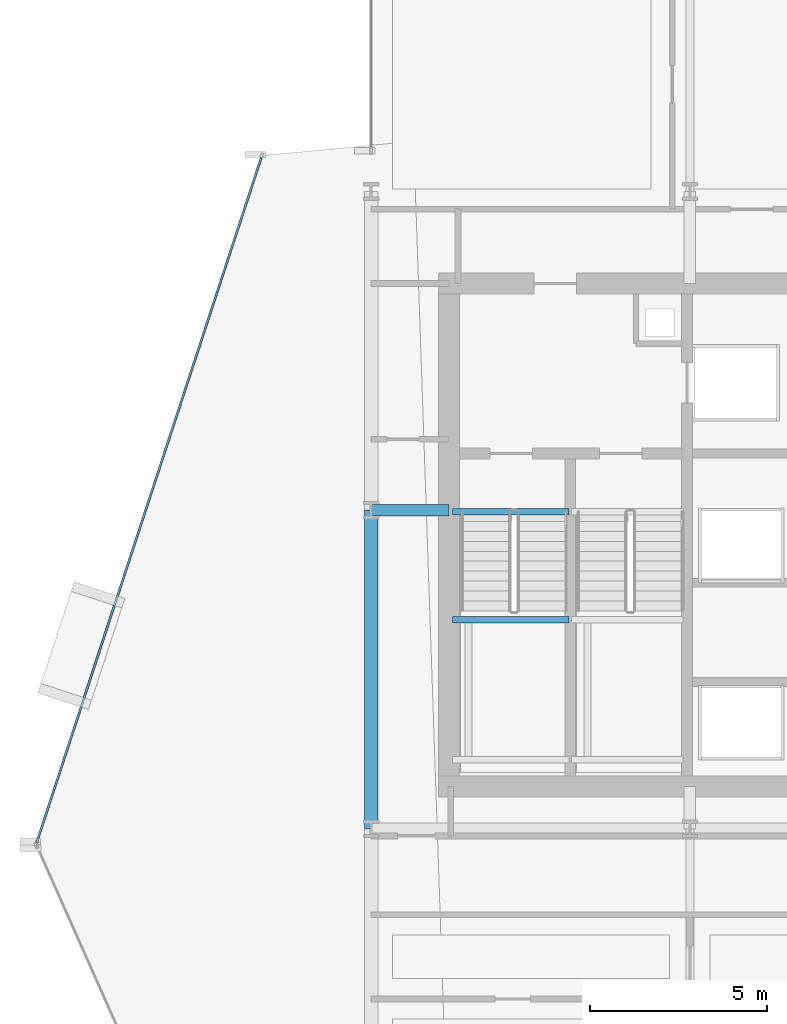
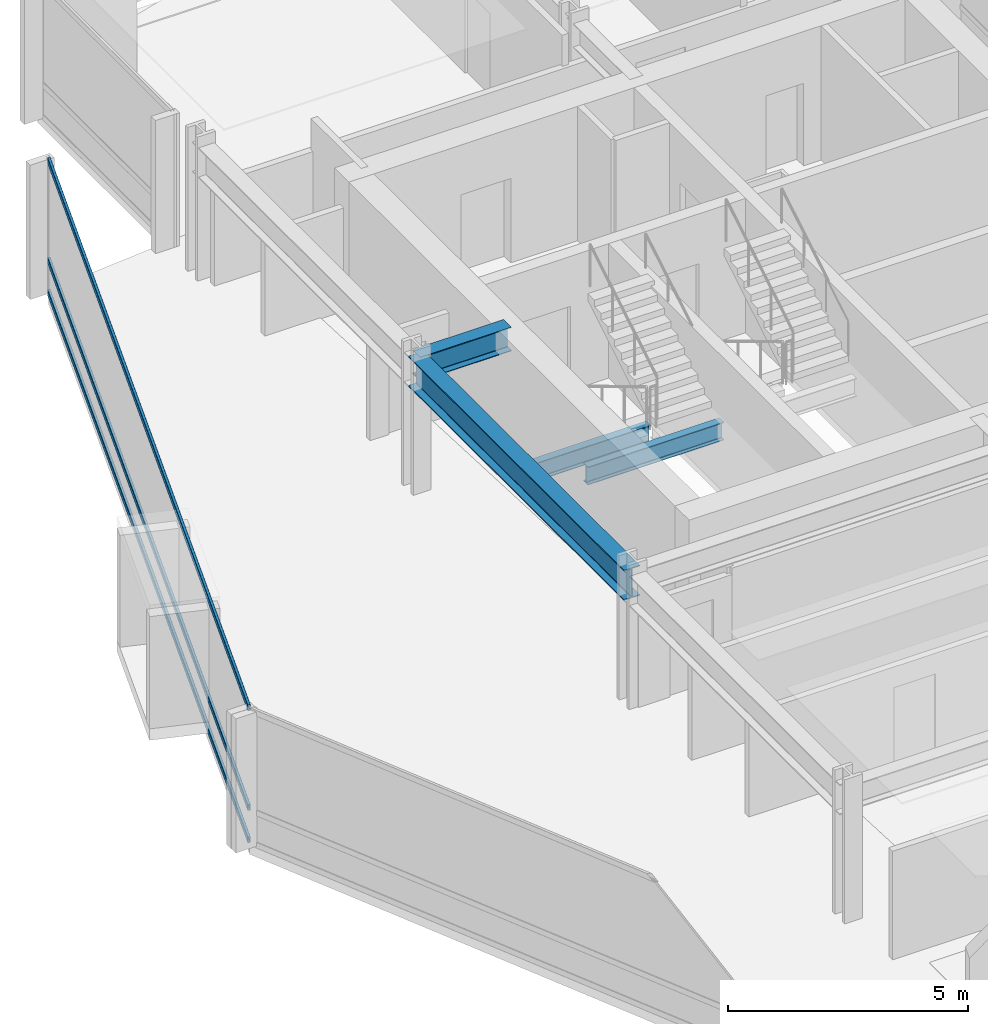
# One storey, part 18 of 34: 4 beams, 3 members, 1 element without a shape of its own.
"""IFC4 building model written with IfcOpenShell, lengths in metres."""

from ifc_helpers import new_model, si_unit, direction, frame, origin, origin_2d, place, context, subcontext, project, spatial, hollow_rectangle, i_section, extrude, material, layer, layer_set, material_profile, profile_set, type_object, element, aggregate, save


model = new_model("IFC4")

# Units and contexts
model_context = context("Model", 3, precision=1e-05, world=origin(), true_north=direction((0.0, 1.0)))
body_context = subcontext(model_context, "Body", "Model", "MODEL_VIEW")
ifc_project = project(units=[si_unit("LENGTHUNIT", "METRE"), si_unit("AREAUNIT", "SQUARE_METRE"), si_unit("VOLUMEUNIT", "CUBIC_METRE"), si_unit("PLANEANGLEUNIT", "RADIAN"), si_unit("MASSUNIT", "GRAM", prefix="KILO")], contexts=[model_context])

# Site, building, storey
site_placement = place(None, origin())
site = spatial("IfcSite", under=ifc_project, at=site_placement, CompositionType="ELEMENT")
building_placement = place(site_placement, origin())
building = spatial("IfcBuilding", under=site, at=building_placement, Name="Solvaryn Broadcast Tower", CompositionType="ELEMENT")
storey_placement = place(building_placement, frame((0.0, 0.0, 65.60009765625)))
storey = spatial("IfcBuildingStorey", under=building, at=storey_placement, Name="L15", CompositionType="ELEMENT", Elevation=65.60009765625)

# Beams
ifc_material_1 = material(Name="Steel ASTM A992 Grade 50", Category="steel")
ifc_material_profile_1 = material_profile(ifc_material_1, i_section(OverallWidth=0.323974609375, OverallDepth=0.611083984375, WebThickness=0.0126953125, FlangeThickness=0.01904296875, FilletRadius=0.014892578125, at=origin_2d()))
ifc_profile_set_1 = profile_set([ifc_material_profile_1], Name="Steel ASTM A992 Grade 50")
beam_type_1 = type_object("IfcBeamType", Name="BM-B1-W24X104", PredefinedType="BEAM", material=ifc_profile_set_1)
beam_1_placement = place(storey_placement, frame((9.0, 36.0, 3.114501953125), z_axis=(1.0, 0.0, 0.0), x_axis=(0.0, 1.0, 0.0)))
element("IfcBeam", 1, at=beam_1_placement, inside=storey, type_object=beam_type_1, Name="L15 Core Tie Beam CTW1", PredefinedType="BEAM", context=body_context, shape_type="SweptSolid", body=[
    extrude(i_section(OverallWidth=0.323974609375, OverallDepth=0.611083984375, WebThickness=0.0126953125, FlangeThickness=0.01904296875, FilletRadius=0.014892578125, at=origin_2d()), origin(), (0.0, 0.0, 1.0), 2.199951171875),
])
ifc_material_2 = material(Name="Steel ASTM A992 Grade 50", Category="steel")
ifc_material_profile_2 = material_profile(ifc_material_2, i_section(OverallWidth=0.18994140625, OverallDepth=0.45703125, WebThickness=0.009033203125, FlangeThickness=0.014404296875, FilletRadius=0.011962890625, at=origin_2d()))
ifc_profile_set_2 = profile_set([ifc_material_profile_2], Name="Steel ASTM A992 Grade 50")
beam_type_2 = type_object("IfcBeamType", Name="BM-B4-W18X50", PredefinedType="BEAM", material=ifc_profile_set_2)
for number, where, z_axis, x_axis, name in (
    (2, (11.300048828125, 35.9599609375, -0.508544921875), (1.0, 0.0, 0.0), (0.0, 1.0, 0.0), "L15 ST1 Stair Well Trimmer Beam"),
    (3, (11.300048828125, 32.909912109375, 1.42138671875), (1.0, 0.0, 0.0), (0.0, 1.0, 0.0), "L15 ST1 Landing Support Beam 1B"),
):
    element("IfcBeam", number, at=place(storey_placement, frame(where, z_axis=z_axis, x_axis=x_axis)), inside=storey, type_object=beam_type_2, Name=name, PredefinedType="BEAM", context=body_context, shape_type="SweptSolid", body=[
        extrude(i_section(OverallWidth=0.18994140625, OverallDepth=0.45703125, WebThickness=0.009033203125, FlangeThickness=0.014404296875, FilletRadius=0.011962890625, at=origin_2d()), origin(), (0.0, 0.0, 1.0), 3.280029296875),
    ])
ifc_material_3 = material(Name="Steel ASTM A992 Grade 50", Category="steel")
ifc_material_profile_3 = material_profile(ifc_material_3, i_section(OverallWidth=0.381103515625, OverallDepth=0.77294921875, WebThickness=0.0166015625, FlangeThickness=0.027099609375, FilletRadius=0.01806640625, at=origin_2d()))
ifc_profile_set_3 = profile_set([ifc_material_profile_3], Name="Steel ASTM A992 Grade 50")
beam_type_3 = type_object("IfcBeamType", Name="BM-SP1-W30X173", PredefinedType="USERDEFINED", material=ifc_profile_set_3)
beam_2_placement = place(storey_placement, frame((9.0, 27.0, 3.033447265625), z_axis=(0.0, 1.0, 0.0), x_axis=(-1.0, 0.0, 0.0)))
element("IfcBeam", 4, at=beam_2_placement, inside=storey, type_object=beam_type_3, Name="L15 Spandrel Beam Y (27-36 @ X=9)", ObjectType="SPANDREL", PredefinedType="USERDEFINED", context=body_context, shape_type="SweptSolid", body=[
    extrude(i_section(OverallWidth=0.381103515625, OverallDepth=0.77294921875, WebThickness=0.0166015625, FlangeThickness=0.027099609375, FilletRadius=0.01806640625, at=origin_2d()), origin(), (0.0, 0.0, 1.0), 9.0),
])

# Curtain wall, members
ifc_material_4 = material(Name="Aluminium and Terracotta Unitised Curtain Wall", Category="masonry")
ifc_layer = layer(ifc_material_4, 0.199951171875)
ifc_layer_set = layer_set([ifc_layer], Name="CW-SYS2-LOWMID")
curtain_wall_type = type_object("IfcCurtainWallType", Name="CW-SYS2-LOWMID", PredefinedType="NOTDEFINED", material=ifc_layer_set)
curtain_wall_placement = place(storey_placement, origin())
curtain_wall = element("IfcCurtainWall", 5, at=curtain_wall_placement, inside=storey, type_object=curtain_wall_type, Name="L15 Curtain Wall DR1", PredefinedType="NOTDEFINED")
ifc_material_5 = material(Name="Anodised Aluminium 6063-T6", Category="aluminium")
ifc_material_profile_4 = material_profile(ifc_material_5, hollow_rectangle(XDim=0.06494140625, YDim=0.14990234375, WallThickness=0.00390625, InnerFilletRadius=0.00390625, OuterFilletRadius=0.008056640625, at=origin_2d()))
ifc_profile_set_4 = profile_set([ifc_material_profile_4], Name="Anodised Aluminium 6063-T6")
member_type = type_object("IfcMemberType", Name="CW-TRN-150", PredefinedType="USERDEFINED", material=ifc_profile_set_4)
member_1_placement = place(storey_placement, frame((5.897216796875, 45.958984375, 0.02978515625), z_axis=(-0.311589549406, -0.950216792475, 0.0), x_axis=(0.950216792475, -0.311589549406, 0.0)))
member_1 = element("IfcMember", 6, at=member_1_placement, type_object=member_type, Name="CWS2 transom 1.1", ObjectType="TRANSOM", PredefinedType="USERDEFINED", context=body_context, shape_type="SweptSolid", body=[
    extrude(hollow_rectangle(XDim=0.06494140625, YDim=0.14990234375, WallThickness=0.00390625, InnerFilletRadius=0.00390625, OuterFilletRadius=0.008056640625, at=origin_2d()), origin(), (0.0, 0.0, 1.0), 20.35546875),
])
member_2_placement = place(storey_placement, frame((5.897216796875, 45.958984375, 0.849853515625), z_axis=(-0.311589549406, -0.950216792475, 0.0), x_axis=(0.950216792475, -0.311589549406, 0.0)))
member_2 = element("IfcMember", 7, at=member_2_placement, type_object=member_type, Name="CWS2 transom 1.2", ObjectType="TRANSOM", PredefinedType="USERDEFINED", context=body_context, shape_type="SweptSolid", body=[
    extrude(hollow_rectangle(XDim=0.06494140625, YDim=0.14990234375, WallThickness=0.00390625, InnerFilletRadius=0.00390625, OuterFilletRadius=0.008056640625, at=origin_2d()), origin(), (0.0, 0.0, 1.0), 20.35546875),
])
member_3_placement = place(storey_placement, frame((5.897216796875, 45.958984375, 3.389892578125), z_axis=(-0.311589549406, -0.950216792475, 0.0), x_axis=(0.950216792475, -0.311589549406, 0.0)))
member_3 = element("IfcMember", 8, at=member_3_placement, type_object=member_type, Name="CWS2 transom 1.3", ObjectType="TRANSOM", PredefinedType="USERDEFINED", context=body_context, shape_type="SweptSolid", body=[
    extrude(hollow_rectangle(XDim=0.06494140625, YDim=0.14990234375, WallThickness=0.00390625, InnerFilletRadius=0.00390625, OuterFilletRadius=0.008056640625, at=origin_2d()), origin(), (0.0, 0.0, 1.0), 20.35546875),
])
aggregate(curtain_wall, [member_1, member_2, member_3])

save(model, "model.ifc")
